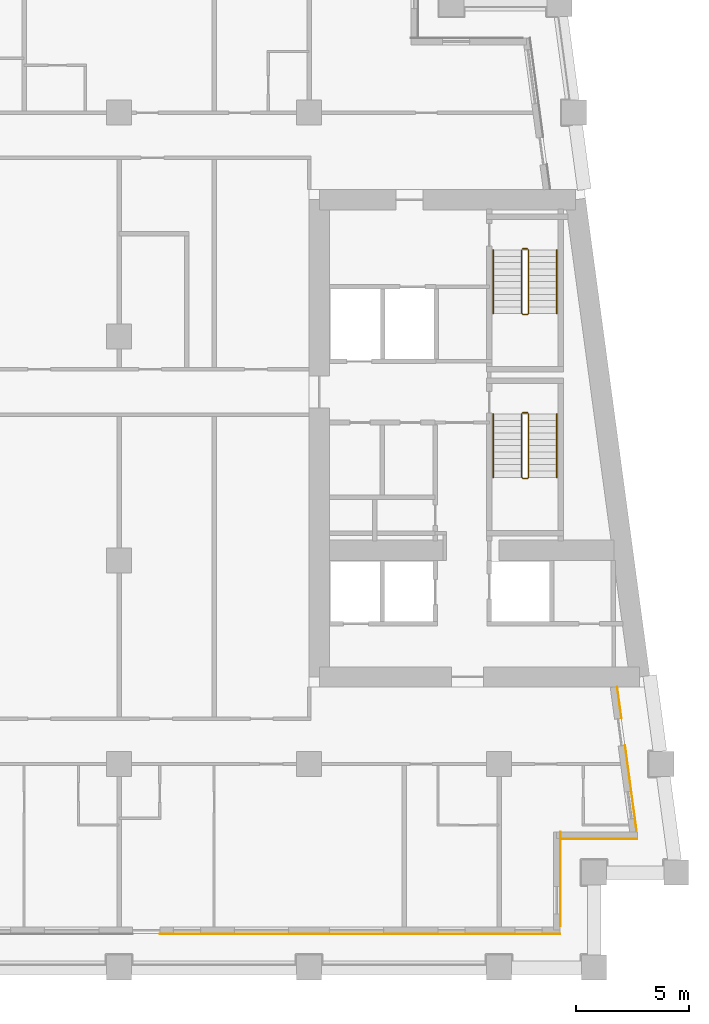
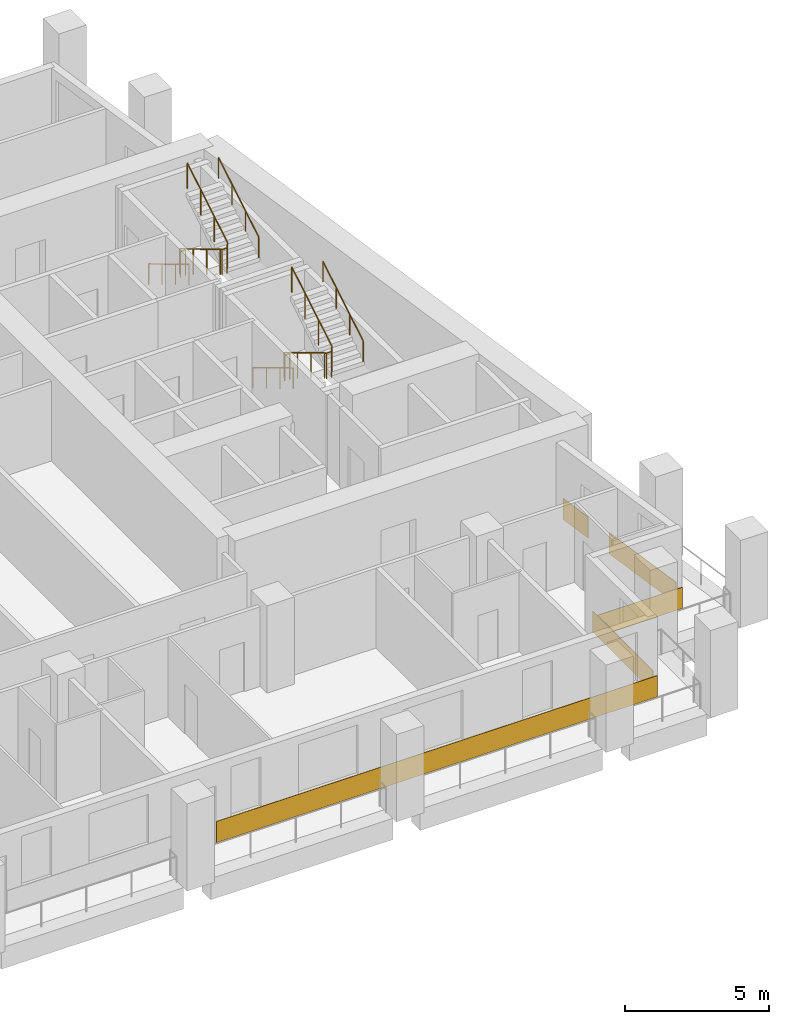
# One storey, part 11 of 13: 8 railings, 5 coverings.
"""IFC4 building model written with IfcOpenShell, lengths in metres."""

from ifc_helpers import new_model, si_unit, direction, frame, origin, origin_2d, place, context, subcontext, project, spatial, rectangle, circle, extrude, material, layer, layer_set, type_object, element, save


model = new_model("IFC4")

# Units and contexts
model_context = context("Model", 3, precision=1e-05, world=origin(), true_north=direction((0.0, 1.0)))
body_context = subcontext(model_context, "Body", "Model", "MODEL_VIEW")
ifc_project = project(units=[si_unit("LENGTHUNIT", "METRE"), si_unit("AREAUNIT", "SQUARE_METRE"), si_unit("VOLUMEUNIT", "CUBIC_METRE"), si_unit("PLANEANGLEUNIT", "RADIAN"), si_unit("MASSUNIT", "GRAM", prefix="KILO")], contexts=[model_context])

# Site, building, storey
site_placement = place(None, origin())
site = spatial("IfcSite", under=ifc_project, at=site_placement, CompositionType="ELEMENT")
building_placement = place(site_placement, origin())
building = spatial("IfcBuilding", under=site, at=building_placement, Name="Candeia Pilgrim Tower and Theatre", CompositionType="ELEMENT")
storey_placement = place(building_placement, frame((0.0, 0.0, 155.199951171875)))
storey = spatial("IfcBuildingStorey", under=building, at=storey_placement, Name="L36", CompositionType="ELEMENT", Elevation=155.199951171875)

# Coverings
ifc_material_1 = material(Name="Glazed ceramic tile rust")
ifc_layer = layer(ifc_material_1, 0.02001953125)
ifc_layer_set = layer_set([ifc_layer], Name="Glazed ceramic tile rust")
covering_type = type_object("IfcCoveringType", Name="Glazed ceramic tile rust", PredefinedType="CLADDING", material=ifc_layer_set)
covering_1_placement = place(storey_placement, frame((128.25, 99.489990234375, 0.0), z_axis=(0.0, 0.0, 1.0), x_axis=(1.0, 0.0, 0.0)))
element("IfcCovering", 1, at=covering_1_placement, inside=storey, type_object=covering_type, Name="Tile cladding rust L36", PredefinedType="CLADDING", context=body_context, shape_type="SweptSolid", body=[
    extrude(rectangle(XDim=17.699951171875, YDim=0.02001953125, at=origin_2d()), origin(), (0.0, 0.0, 1.0), 0.89990234375),
])
covering_2_placement = place(storey_placement, frame((137.110107421875, 101.909912109375, 0.0), z_axis=(0.0, 0.0, 1.0), x_axis=(0.0, 1.0, 0.0)))
element("IfcCovering", 2, at=covering_2_placement, inside=storey, type_object=covering_type, Name="Tile cladding rust L36", PredefinedType="CLADDING", context=body_context, shape_type="SweptSolid", body=[
    extrude(rectangle(XDim=4.179931640625, YDim=0.02001953125, at=origin_2d()), origin(), (0.0, 0.0, 1.0), 0.89990234375),
])
covering_3_placement = place(storey_placement, frame((138.819580078125, 103.68994140625, 0.0), z_axis=(0.0, 0.0, 1.0), x_axis=(1.0, 0.0, 0.0)))
element("IfcCovering", 3, at=covering_3_placement, inside=storey, type_object=covering_type, Name="Tile cladding rust L36", PredefinedType="CLADDING", context=body_context, shape_type="SweptSolid", body=[
    extrude(rectangle(XDim=3.399169921875, YDim=0.02001953125, at=origin_2d()), origin(), (0.0, 0.0, 1.0), 0.89990234375),
])
covering_4_placement = place(storey_placement, frame((140.228515625, 105.933349609375, 0.0), z_axis=(0.0, 0.0, 1.0), x_axis=(-0.133412012145, 0.991060661622, 0.0)))
element("IfcCovering", 4, at=covering_4_placement, inside=storey, type_object=covering_type, Name="Tile cladding rust L36", PredefinedType="CLADDING", context=body_context, shape_type="SweptSolid", body=[
    extrude(rectangle(XDim=3.821044921875, YDim=0.02001953125, at=origin_2d()), origin(), (0.0, 0.0, 1.0), 0.89990234375),
])
covering_5_placement = place(storey_placement, frame((139.718994140625, 109.71875, 0.0), z_axis=(0.0, 0.0, 1.0), x_axis=(-0.133412012145, 0.991060661622, 0.0)))
element("IfcCovering", 5, at=covering_5_placement, inside=storey, type_object=covering_type, Name="Tile cladding rust L36", PredefinedType="CLADDING", context=body_context, shape_type="SweptSolid", body=[
    extrude(rectangle(XDim=1.41796875, YDim=0.02001953125, at=origin_2d()), origin(), (0.0, 0.0, 1.0), 0.89990234375),
])

# Railings
ifc_material_2 = material(Name="Stainless steel balustrade", Category="steel")
railing_type_1 = type_object("IfcRailingType", Name="RL-GUARD-1100", PredefinedType="GUARDRAIL", material=ifc_material_2)
railing_1_placement = place(storey_placement, frame((135.39794921875, 122.47509765625, 0.168212890625)))
element("IfcRailing", 6, at=railing_1_placement, inside=storey, type_object=railing_type_1, Name="L36 ST3 stair guard 1", PredefinedType="GUARDRAIL", context=body_context, shape_type="SweptSolid", body=[
    extrude(circle(Radius=0.02392578125, at=origin_2d()), frame((0.0, 0.0, 1.076171875), z_axis=(0.0, -0.857242210791, 0.514913383045), x_axis=(1.0, 0.0, 0.0)), (0.0, 0.0, 1.0), 3.266357421875),
    extrude(circle(Radius=0.02392578125, at=origin_2d()), frame((0.0, -2.800048828125, 2.7578125), z_axis=(0.707106781187, -0.707106781187, 0.0), x_axis=(0.707106781187, 0.707106781187, 0.0)), (0.0, 0.0, 1.0), 0.07080078125),
    extrude(circle(Radius=0.02392578125, at=origin_2d()), frame((0.050048828125, -2.85009765625, 2.7578125), z_axis=(1.0, 0.0, 0.0), x_axis=(0.0, 1.0, 0.0)), (0.0, 0.0, 1.0), 0.199951171875),
    extrude(circle(Radius=0.02392578125, at=origin_2d()), frame((0.25, -2.85009765625, 2.7578125), z_axis=(0.274243871929, 0.274243871929, 0.92172696468), x_axis=(-0.707106781187, 0.707106781187, 0.0)), (0.0, 0.0, 1.0), 0.1826171875),
    extrude(circle(Radius=0.02392578125, at=origin_2d()), frame((0.300048828125, -2.800048828125, 2.92626953125), z_axis=(0.0, 0.857275202839, 0.514858452973), x_axis=(-1.0, 0.0, 0.0)), (0.0, 0.0, 1.0), 3.26611328125),
    extrude(circle(Radius=0.02099609375, at=origin_2d()), origin(), (0.0, 0.0, 1.0), 1.052001953125),
    extrude(circle(Radius=0.02099609375, at=origin_2d()), frame((0.0, -0.933349609375, 0.560546875)), (0.0, 0.0, 1.0), 1.052001953125),
    extrude(circle(Radius=0.02099609375, at=origin_2d()), frame((0.0, -1.86669921875, 1.121337890625)), (0.0, 0.0, 1.0), 1.052001953125),
    extrude(circle(Radius=0.02099609375, at=origin_2d()), frame((0.0, -2.800048828125, 1.681884765625)), (0.0, 0.0, 1.0), 1.052001953125),
    extrude(circle(Radius=0.02099609375, at=origin_2d()), frame((0.050048828125, -2.85009765625, 1.681884765625)), (0.0, 0.0, 1.0), 1.052001953125),
    extrude(circle(Radius=0.02099609375, at=origin_2d()), frame((0.25, -2.85009765625, 1.681884765625)), (0.0, 0.0, 1.0), 1.052001953125),
    extrude(circle(Radius=0.02099609375, at=origin_2d()), frame((0.300048828125, -2.800048828125, 1.85009765625)), (0.0, 0.0, 1.0), 1.052001953125),
    extrude(circle(Radius=0.02099609375, at=origin_2d()), frame((0.300048828125, -1.86669921875, 2.41064453125)), (0.0, 0.0, 1.0), 1.052001953125),
    extrude(circle(Radius=0.02099609375, at=origin_2d()), frame((0.300048828125, -0.933349609375, 2.97119140625)), (0.0, 0.0, 1.0), 1.052001953125),
    extrude(circle(Radius=0.02099609375, at=origin_2d()), frame((0.300048828125, 0.0, 3.53173828125)), (0.0, 0.0, 1.0), 1.052001953125),
])
railing_2_placement = place(storey_placement, frame((135.447998046875, 122.52490234375, 0.0)))
element("IfcRailing", 7, at=railing_2_placement, inside=storey, type_object=railing_type_1, Name="L36 ST3 stair guard 2", PredefinedType="GUARDRAIL", context=body_context, shape_type="SweptSolid", body=[
    extrude(circle(Radius=0.02392578125, at=origin_2d()), frame((0.0, 0.0, 1.076171875), z_axis=(1.0, 0.0, 0.0), x_axis=(0.0, 1.0, 0.0)), (0.0, 0.0, 1.0), 0.199951171875),
    extrude(circle(Radius=0.02099609375, at=origin_2d()), origin(), (0.0, 0.0, 1.0), 1.052001953125),
    extrude(circle(Radius=0.02099609375, at=origin_2d()), frame((0.199951171875, 0.0, 0.0)), (0.0, 0.0, 1.0), 1.052001953125),
])
railing_3_placement = place(storey_placement, frame((135.39794921875, 129.72509765625, 0.168212890625)))
element("IfcRailing", 8, at=railing_3_placement, inside=storey, type_object=railing_type_1, Name="L36 ST4 stair guard 1", PredefinedType="GUARDRAIL", context=body_context, shape_type="SweptSolid", body=[
    extrude(circle(Radius=0.02392578125, at=origin_2d()), frame((0.0, 0.0, 1.076171875), z_axis=(0.0, -0.857242210791, 0.514913383045), x_axis=(1.0, 0.0, 0.0)), (0.0, 0.0, 1.0), 3.266357421875),
    extrude(circle(Radius=0.02392578125, at=origin_2d()), frame((0.0, -2.800048828125, 2.7578125), z_axis=(0.707106781187, -0.707106781187, 0.0), x_axis=(0.707106781187, 0.707106781187, 0.0)), (0.0, 0.0, 1.0), 0.07080078125),
    extrude(circle(Radius=0.02392578125, at=origin_2d()), frame((0.050048828125, -2.85009765625, 2.7578125), z_axis=(1.0, 0.0, 0.0), x_axis=(0.0, 1.0, 0.0)), (0.0, 0.0, 1.0), 0.199951171875),
    extrude(circle(Radius=0.02392578125, at=origin_2d()), frame((0.25, -2.85009765625, 2.7578125), z_axis=(0.274243871929, 0.274243871929, 0.92172696468), x_axis=(-0.707106781187, 0.707106781187, 0.0)), (0.0, 0.0, 1.0), 0.1826171875),
    extrude(circle(Radius=0.02392578125, at=origin_2d()), frame((0.300048828125, -2.800048828125, 2.92626953125), z_axis=(0.0, 0.857275202839, 0.514858452973), x_axis=(-1.0, 0.0, 0.0)), (0.0, 0.0, 1.0), 3.26611328125),
    extrude(circle(Radius=0.02099609375, at=origin_2d()), origin(), (0.0, 0.0, 1.0), 1.052001953125),
    extrude(circle(Radius=0.02099609375, at=origin_2d()), frame((0.0, -0.933349609375, 0.560546875)), (0.0, 0.0, 1.0), 1.052001953125),
    extrude(circle(Radius=0.02099609375, at=origin_2d()), frame((0.0, -1.86669921875, 1.121337890625)), (0.0, 0.0, 1.0), 1.052001953125),
    extrude(circle(Radius=0.02099609375, at=origin_2d()), frame((0.0, -2.800048828125, 1.681884765625)), (0.0, 0.0, 1.0), 1.052001953125),
    extrude(circle(Radius=0.02099609375, at=origin_2d()), frame((0.050048828125, -2.85009765625, 1.681884765625)), (0.0, 0.0, 1.0), 1.052001953125),
    extrude(circle(Radius=0.02099609375, at=origin_2d()), frame((0.25, -2.85009765625, 1.681884765625)), (0.0, 0.0, 1.0), 1.052001953125),
    extrude(circle(Radius=0.02099609375, at=origin_2d()), frame((0.300048828125, -2.800048828125, 1.85009765625)), (0.0, 0.0, 1.0), 1.052001953125),
    extrude(circle(Radius=0.02099609375, at=origin_2d()), frame((0.300048828125, -1.86669921875, 2.41064453125)), (0.0, 0.0, 1.0), 1.052001953125),
    extrude(circle(Radius=0.02099609375, at=origin_2d()), frame((0.300048828125, -0.933349609375, 2.97119140625)), (0.0, 0.0, 1.0), 1.052001953125),
    extrude(circle(Radius=0.02099609375, at=origin_2d()), frame((0.300048828125, 0.0, 3.53173828125)), (0.0, 0.0, 1.0), 1.052001953125),
])
railing_4_placement = place(storey_placement, frame((135.447998046875, 129.77490234375, 0.0)))
element("IfcRailing", 9, at=railing_4_placement, inside=storey, type_object=railing_type_1, Name="L36 ST4 stair guard 2", PredefinedType="GUARDRAIL", context=body_context, shape_type="SweptSolid", body=[
    extrude(circle(Radius=0.02392578125, at=origin_2d()), frame((0.0, 0.0, 1.076171875), z_axis=(1.0, 0.0, 0.0), x_axis=(0.0, 1.0, 0.0)), (0.0, 0.0, 1.0), 0.199951171875),
    extrude(circle(Radius=0.02099609375, at=origin_2d()), origin(), (0.0, 0.0, 1.0), 1.052001953125),
    extrude(circle(Radius=0.02099609375, at=origin_2d()), frame((0.199951171875, 0.0, 0.0)), (0.0, 0.0, 1.0), 1.052001953125),
])
ifc_material_3 = material(Name="Stainless steel handrail", Category="steel")
railing_type_2 = type_object("IfcRailingType", Name="RL-HANDRAIL-900", PredefinedType="HANDRAIL", material=ifc_material_3)
railing_5_placement = place(storey_placement, frame((134.14794921875, 122.47509765625, 0.168212890625)))
element("IfcRailing", 10, at=railing_5_placement, inside=storey, type_object=railing_type_2, Name="L36 ST3 stair handrail 1", PredefinedType="HANDRAIL", context=body_context, shape_type="SweptSolid", body=[
    extrude(circle(Radius=0.02392578125, at=origin_2d()), frame((0.0, 0.0, 0.8759765625), z_axis=(0.0, -0.857242210791, 0.514913383045), x_axis=(1.0, 0.0, 0.0)), (0.0, 0.0, 1.0), 3.266357421875),
    extrude(circle(Radius=0.02099609375, at=origin_2d()), origin(), (0.0, 0.0, 1.0), 0.851806640625),
    extrude(circle(Radius=0.02099609375, at=origin_2d()), frame((0.0, -0.933349609375, 0.560546875)), (0.0, 0.0, 1.0), 0.851806640625),
    extrude(circle(Radius=0.02099609375, at=origin_2d()), frame((0.0, -1.86669921875, 1.121337890625)), (0.0, 0.0, 1.0), 0.851806640625),
    extrude(circle(Radius=0.02099609375, at=origin_2d()), frame((0.0, -2.800048828125, 1.681884765625)), (0.0, 0.0, 1.0), 0.851806640625),
])
railing_6_placement = place(storey_placement, frame((136.947998046875, 119.675048828125, 2.018310546875)))
element("IfcRailing", 11, at=railing_6_placement, inside=storey, type_object=railing_type_2, Name="L36 ST3 stair handrail 2", PredefinedType="HANDRAIL", context=body_context, shape_type="SweptSolid", body=[
    extrude(circle(Radius=0.02392578125, at=origin_2d()), frame((0.0, 0.0, 0.8759765625), z_axis=(0.0, 0.857275202839, 0.514858452973), x_axis=(-1.0, 0.0, 0.0)), (0.0, 0.0, 1.0), 3.26611328125),
    extrude(circle(Radius=0.02099609375, at=origin_2d()), origin(), (0.0, 0.0, 1.0), 0.851806640625),
    extrude(circle(Radius=0.02099609375, at=origin_2d()), frame((0.0, 0.933349609375, 0.560546875)), (0.0, 0.0, 1.0), 0.851806640625),
    extrude(circle(Radius=0.02099609375, at=origin_2d()), frame((0.0, 1.86669921875, 1.12109375)), (0.0, 0.0, 1.0), 0.851806640625),
    extrude(circle(Radius=0.02099609375, at=origin_2d()), frame((0.0, 2.800048828125, 1.681640625)), (0.0, 0.0, 1.0), 0.851806640625),
])
railing_7_placement = place(storey_placement, frame((134.14794921875, 129.72509765625, 0.168212890625)))
element("IfcRailing", 12, at=railing_7_placement, inside=storey, type_object=railing_type_2, Name="L36 ST4 stair handrail 1", PredefinedType="HANDRAIL", context=body_context, shape_type="SweptSolid", body=[
    extrude(circle(Radius=0.02392578125, at=origin_2d()), frame((0.0, 0.0, 0.8759765625), z_axis=(0.0, -0.857242210791, 0.514913383045), x_axis=(1.0, 0.0, 0.0)), (0.0, 0.0, 1.0), 3.266357421875),
    extrude(circle(Radius=0.02099609375, at=origin_2d()), origin(), (0.0, 0.0, 1.0), 0.851806640625),
    extrude(circle(Radius=0.02099609375, at=origin_2d()), frame((0.0, -0.933349609375, 0.560546875)), (0.0, 0.0, 1.0), 0.851806640625),
    extrude(circle(Radius=0.02099609375, at=origin_2d()), frame((0.0, -1.86669921875, 1.121337890625)), (0.0, 0.0, 1.0), 0.851806640625),
    extrude(circle(Radius=0.02099609375, at=origin_2d()), frame((0.0, -2.800048828125, 1.681884765625)), (0.0, 0.0, 1.0), 0.851806640625),
])
railing_8_placement = place(storey_placement, frame((136.947998046875, 126.925048828125, 2.018310546875)))
element("IfcRailing", 13, at=railing_8_placement, inside=storey, type_object=railing_type_2, Name="L36 ST4 stair handrail 2", PredefinedType="HANDRAIL", context=body_context, shape_type="SweptSolid", body=[
    extrude(circle(Radius=0.02392578125, at=origin_2d()), frame((0.0, 0.0, 0.8759765625), z_axis=(0.0, 0.857275202839, 0.514858452973), x_axis=(-1.0, 0.0, 0.0)), (0.0, 0.0, 1.0), 3.26611328125),
    extrude(circle(Radius=0.02099609375, at=origin_2d()), origin(), (0.0, 0.0, 1.0), 0.851806640625),
    extrude(circle(Radius=0.02099609375, at=origin_2d()), frame((0.0, 0.933349609375, 0.560546875)), (0.0, 0.0, 1.0), 0.851806640625),
    extrude(circle(Radius=0.02099609375, at=origin_2d()), frame((0.0, 1.86669921875, 1.12109375)), (0.0, 0.0, 1.0), 0.851806640625),
    extrude(circle(Radius=0.02099609375, at=origin_2d()), frame((0.0, 2.800048828125, 1.681640625)), (0.0, 0.0, 1.0), 0.851806640625),
])

save(model, "model.ifc")
